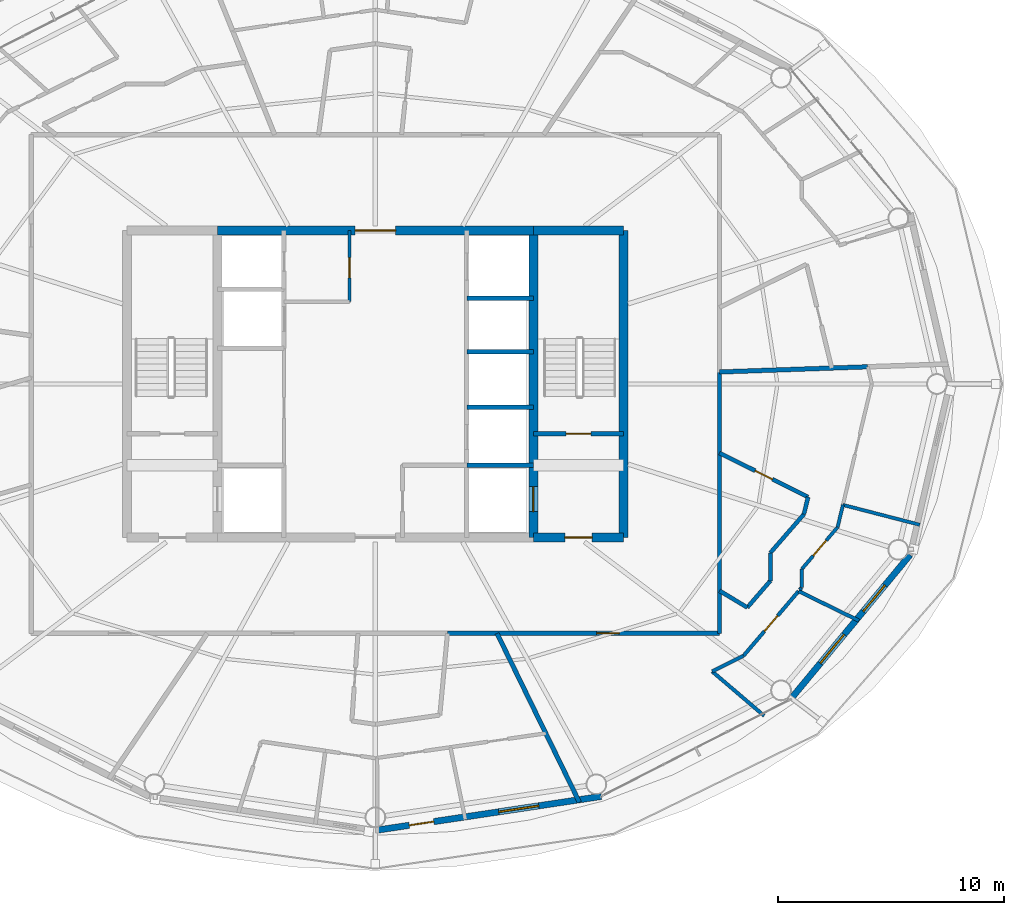
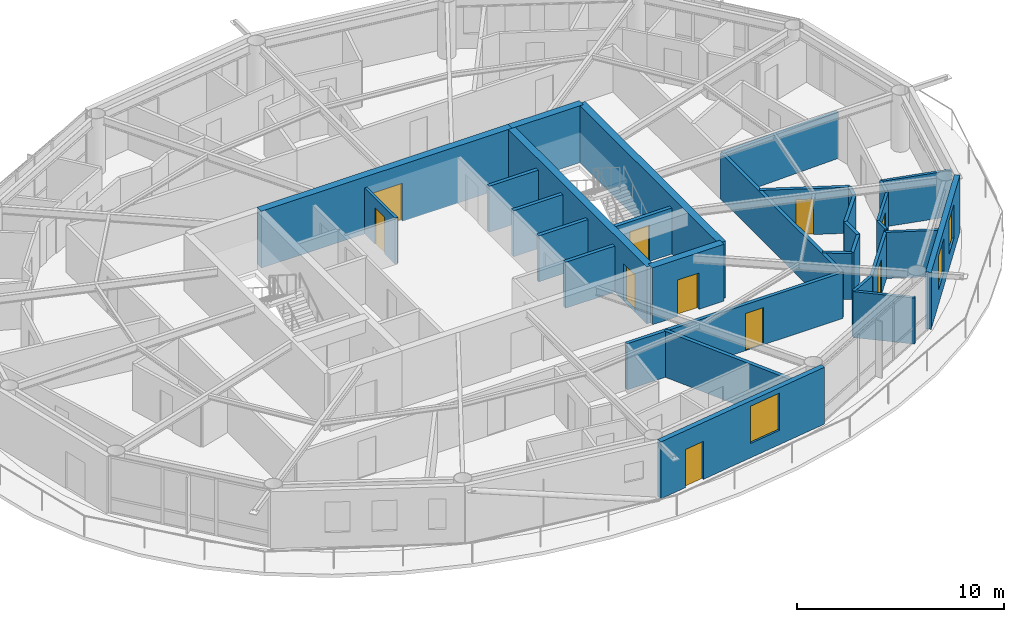
# One storey, part 17 of 23: 32 walls, 10 doors, 3 windows, 13 openings.
"""IFC4 building model written with IfcOpenShell, lengths in metres."""

from ifc_helpers import new_model, si_unit, direction, frame, frame_2d, origin, place, context, subcontext, project, spatial, rectangle, extrude, material, layer, layer_set, type_object, element, fill, save


model = new_model("IFC4")

# Units and contexts
model_context = context("Model", 3, precision=1e-05, world=origin(), true_north=direction((0.0, 1.0)))
body_context = subcontext(model_context, "Body", "Model", "MODEL_VIEW")
ifc_project = project(units=[si_unit("LENGTHUNIT", "METRE"), si_unit("AREAUNIT", "SQUARE_METRE"), si_unit("VOLUMEUNIT", "CUBIC_METRE"), si_unit("PLANEANGLEUNIT", "RADIAN"), si_unit("MASSUNIT", "GRAM", prefix="KILO")], contexts=[model_context])

# Site, building, storey
site_placement = place(None, origin())
site = spatial("IfcSite", under=ifc_project, at=site_placement, CompositionType="ELEMENT")
building_placement = place(site_placement, origin())
building = spatial("IfcBuilding", under=site, at=building_placement, Name="Sarneth Arch Tower", CompositionType="ELEMENT")
storey_placement = place(building_placement, frame((0.0, 0.0, 231.60009765625)))
storey = spatial("IfcBuildingStorey", under=building, at=storey_placement, Name="L59", CompositionType="ELEMENT", Elevation=231.60009765625)

# Wall, opening, door
ifc_material_1 = material(Name="Concrete C50/60", Category="concrete")
ifc_layer_1 = layer(ifc_material_1, 0.39990234375)
ifc_layer_set_1 = layer_set([ifc_layer_1], Name="Concrete C50/60")
wall_type_1 = type_object("IfcWallType", Name="WALL-CORE-400", PredefinedType="SHEAR", material=ifc_layer_set_1)
wall_1_placement = place(storey_placement, frame((55.0, 35.199951171875, 0.0), z_axis=(0.0, 0.0, 1.0), x_axis=(1.0, 0.0, 0.0)))
wall_1 = element("IfcWall", 1, at=wall_1_placement, inside=storey, type_object=wall_type_1, Name="L59 Core shear wall S-E", PredefinedType="SHEAR", context=body_context, shape_type="SweptSolid", body=[
    extrude(rectangle(XDim=4.0, YDim=0.39990234375, at=frame_2d((2.0, 0.0))), origin(), (0.0, 0.0, 1.0), 3.35986328125),
])
opening_1_placement = place(wall_1_placement, frame((1.39990234375, 0.0, 0.0)))
opening_1 = element("IfcOpeningElement", 2, at=opening_1_placement, cuts=wall_1, Name="Opening FD-02", PredefinedType="OPENING", context=body_context, shape_type="SweptSolid", body=[
    extrude(rectangle(XDim=1.199951171875, YDim=2.14990234375, at=frame_2d((0.60009765625, 1.074951171875))), frame((0.0, 0.2099609375, 0.0), z_axis=(0.0, -1.0, 0.0), x_axis=(1.0, 0.0, 0.0)), (0.0, 0.0, 1.0), 0.419921875),
])
ifc_material_2 = material(Name="Galvanised Steel S275 fire door set", Category="steel")
door_type_1 = type_object("IfcDoorType", Name="DR-FD90-1200", OperationType="SINGLE_SWING_LEFT", PredefinedType="DOOR", material=ifc_material_2)
door_1_placement = place(opening_1_placement, origin())
door_1 = element("IfcDoor", 3, at=door_1_placement, inside=storey, type_object=door_type_1, Name="L59 Firefighting lobby 2 exit door", OperationType="SINGLE_SWING_RIGHT", OverallHeight=2.14990234375, OverallWidth=1.199951171875, PredefinedType="DOOR", context=body_context, shape_type="SweptSolid", body=[
    extrude(rectangle(XDim=1.199951171875, YDim=2.14990234375, at=frame_2d((0.60009765625, 1.074951171875))), frame((0.0, 0.02490234375, 0.0), z_axis=(0.0, -1.0, 0.0), x_axis=(1.0, 0.0, 0.0)), (0.0, 0.0, 1.0), 0.050048828125),
])
fill(opening_1, door_1)

wall_2_placement = place(storey_placement, frame((41.0, 48.800048828125, 0.0), z_axis=(0.0, 0.0, 1.0), x_axis=(1.0, 0.0, 0.0)))
wall_2 = element("IfcWall", 4, at=wall_2_placement, inside=storey, type_object=wall_type_1, Name="L59 Core shear wall N-M", PredefinedType="SHEAR", context=body_context, shape_type="SweptSolid", body=[
    extrude(rectangle(XDim=14.0, YDim=0.39990234375, at=frame_2d((7.0, 0.0))), origin(), (0.0, 0.0, 1.0), 3.35986328125),
])
opening_2_placement = place(wall_2_placement, frame((6.10009765625, 0.0, 0.0)))
opening_2 = element("IfcOpeningElement", 5, at=opening_2_placement, cuts=wall_2, Name="Opening FD-01", PredefinedType="OPENING", context=body_context, shape_type="SweptSolid", body=[
    extrude(rectangle(XDim=1.800048828125, YDim=2.25, at=frame_2d((0.89990234375, 1.125))), frame((0.0, 0.2099609375, 0.0), z_axis=(0.0, -1.0, 0.0), x_axis=(1.0, 0.0, 0.0)), (0.0, 0.0, 1.0), 0.419921875),
])
ifc_material_3 = material(Name="Galvanised Steel S275 fire door set", Category="steel")
door_type_2 = type_object("IfcDoorType", Name="DR-FD90-1800", OperationType="DOUBLE_DOOR_SINGLE_SWING", PredefinedType="DOOR", material=ifc_material_3)
door_2_placement = place(opening_2_placement, origin())
door_2 = element("IfcDoor", 6, at=door_2_placement, inside=storey, type_object=door_type_2, Name="L59 Central lift lobby north door", OperationType="DOUBLE_DOOR_SINGLE_SWING", OverallHeight=2.25, OverallWidth=1.800048828125, PredefinedType="DOOR", context=body_context, shape_type="SweptSolid", body=[
    extrude(rectangle(XDim=1.800048828125, YDim=2.25, at=frame_2d((0.89990234375, 1.125))), frame((0.0, 0.02490234375, 0.0), z_axis=(0.0, -1.0, 0.0), x_axis=(1.0, 0.0, 0.0)), (0.0, 0.0, 1.0), 0.050048828125),
])
fill(opening_2, door_2)

# Walls
wall_3_placement = place(storey_placement, frame((55.0, 48.800048828125, 0.0), z_axis=(0.0, 0.0, 1.0), x_axis=(1.0, 0.0, 0.0)))
element("IfcWall", 7, at=wall_3_placement, inside=storey, type_object=wall_type_1, Name="L59 Core shear wall N-E", PredefinedType="SHEAR", context=body_context, shape_type="SweptSolid", body=[
    extrude(rectangle(XDim=4.0, YDim=0.39990234375, at=frame_2d((2.0, 0.0))), origin(), (0.0, 0.0, 1.0), 3.35986328125),
])
wall_4_placement = place(storey_placement, frame((59.0, 35.199951171875, 0.0), z_axis=(0.0, 0.0, 1.0), x_axis=(0.0, 1.0, 0.0)))
element("IfcWall", 8, at=wall_4_placement, inside=storey, type_object=wall_type_1, Name="L59 Core shear wall E", PredefinedType="SHEAR", context=body_context, shape_type="SweptSolid", body=[
    extrude(rectangle(XDim=13.60009765625, YDim=0.39990234375, at=frame_2d((6.800048828125, 0.0))), origin(), (0.0, 0.0, 1.0), 3.35986328125),
])

# Wall, opening, door
wall_5_placement = place(storey_placement, frame((55.0, 35.199951171875, 0.0), z_axis=(0.0, 0.0, 1.0), x_axis=(0.0, 1.0, 0.0)))
wall_5 = element("IfcWall", 9, at=wall_5_placement, inside=storey, type_object=wall_type_1, Name="L59 Core shear wall WEB-E", PredefinedType="SHEAR", context=body_context, shape_type="SweptSolid", body=[
    extrude(rectangle(XDim=13.60009765625, YDim=0.39990234375, at=frame_2d((6.800048828125, 0.0))), origin(), (0.0, 0.0, 1.0), 3.35986328125),
])
opening_3_placement = place(wall_5_placement, frame((1.14990234375, 0.0, 0.0)))
opening_3 = element("IfcOpeningElement", 10, at=opening_3_placement, cuts=wall_5, Name="Opening LD-1", PredefinedType="OPENING", context=body_context, shape_type="SweptSolid", body=[
    extrude(rectangle(XDim=1.10009765625, YDim=2.199951171875, at=frame_2d((0.550048828125, 1.10009765625))), frame((0.0, 0.2099609375, 0.0), z_axis=(0.0, -1.0, 0.0), x_axis=(1.0, 0.0, 0.0)), (0.0, 0.0, 1.0), 0.419921875),
])
ifc_material_4 = material(Name="Brushed Stainless Steel 304 lift landing door", Category="steel")
door_type_3 = type_object("IfcDoorType", Name="DR-LIFT-SLIDE-1100", OperationType="SLIDING_TO_LEFT", PredefinedType="DOOR", material=ifc_material_4)
door_3_placement = place(opening_3_placement, origin())
door_3 = element("IfcDoor", 11, at=door_3_placement, inside=storey, type_object=door_type_3, Name="L59 Firefighting lift landing door FL-2", OperationType="SLIDING_TO_RIGHT", OverallHeight=2.199951171875, OverallWidth=1.10009765625, PredefinedType="DOOR", context=body_context, shape_type="SweptSolid", body=[
    extrude(rectangle(XDim=1.10009765625, YDim=2.199951171875, at=frame_2d((0.550048828125, 1.10009765625))), frame((0.0, 0.02490234375, 0.0), z_axis=(0.0, -1.0, 0.0), x_axis=(1.0, 0.0, 0.0)), (0.0, 0.0, 1.0), 0.050048828125),
])
fill(opening_3, door_3)

ifc_material_5 = material(Name="Double steel-stud corridor fire wall", Category="steel")
ifc_layer_2 = layer(ifc_material_5, 0.18994140625)
ifc_layer_set_2 = layer_set([ifc_layer_2], Name="Double steel-stud corridor fire wall")
wall_type_2 = type_object("IfcWallType", Name="WALL-CORR-190", PredefinedType="PARTITIONING", material=ifc_layer_set_2)
wall_6_placement = place(storey_placement, frame((63.25, 30.949951171875, 0.0), z_axis=(0.0, 0.0, 1.0), x_axis=(-1.0, 0.0, 0.0)))
wall_6 = element("IfcWall", 12, at=wall_6_placement, inside=storey, type_object=wall_type_2, Name="L59 Interior partition W-L59-TP-018", PredefinedType="PARTITIONING", context=body_context, shape_type="SweptSolid", body=[
    extrude(rectangle(XDim=12.056396484375, YDim=0.18994140625, at=frame_2d((6.0283203125, 0.0))), origin(), (0.0, 0.0, 1.0), 2.719970703125),
])
opening_4_placement = place(wall_6_placement, frame((4.447998046875, 0.0, 0.0)))
opening_4 = element("IfcOpeningElement", 13, at=opening_4_placement, cuts=wall_6, Name="Opening FD-08", PredefinedType="OPENING", context=body_context, shape_type="SweptSolid", body=[
    extrude(rectangle(XDim=1.0, YDim=2.199951171875, at=frame_2d((0.5, 1.10009765625))), frame((0.0, 0.10498046875, 0.0), z_axis=(0.0, -1.0, 0.0), x_axis=(1.0, 0.0, 0.0)), (0.0, 0.0, 1.0), 0.2099609375),
])
ifc_material_6 = material(Name="Hardwood timber acoustic fire door", Category="wood")
door_type_4 = type_object("IfcDoorType", Name="DR-FD60-1000", OperationType="SINGLE_SWING_LEFT", PredefinedType="DOOR", material=ifc_material_6)
door_4_placement = place(opening_4_placement, origin())
door_4 = element("IfcDoor", 14, at=door_4_placement, inside=storey, type_object=door_type_4, Name="L59 Interior door DR-L59-U6-ENT", OperationType="SINGLE_SWING_LEFT", OverallHeight=2.199951171875, OverallWidth=1.0, PredefinedType="DOOR", context=body_context, shape_type="SweptSolid", body=[
    extrude(rectangle(XDim=1.0, YDim=2.199951171875, at=frame_2d((0.5, 1.10009765625))), frame((0.0, 0.02490234375, 0.0), z_axis=(0.0, -1.0, 0.0), x_axis=(1.0, 0.0, 0.0)), (0.0, 0.0, 1.0), 0.050048828125),
])
fill(opening_4, door_4)

# Wall
wall_7_placement = place(storey_placement, frame((63.25, 42.564453125, 0.0), z_axis=(0.0, 0.0, 1.0), x_axis=(0.0, -1.0, 0.0)))
element("IfcWall", 15, at=wall_7_placement, inside=storey, type_object=wall_type_2, Name="L59 Interior partition W-L59-TP-020", PredefinedType="PARTITIONING", context=body_context, shape_type="SweptSolid", body=[
    extrude(rectangle(XDim=11.614501953125, YDim=0.18994140625, at=frame_2d((5.80712890625, 0.0))), origin(), (0.0, 0.0, 1.0), 2.719970703125),
])

# Wall, openings, door, window
ifc_material_7 = material(Name="Extruded terracotta rainscreen on Concrete C40/50 backing", Category="masonry")
ifc_layer_3 = layer(ifc_material_7, 0.280029296875)
ifc_layer_set_3 = layer_set([ifc_layer_3], Name="Extruded terracotta rainscreen on Concrete C40/50 backing")
wall_type_3 = type_object("IfcWallType", Name="WALL-EXT-TERRA-280", PredefinedType="SOLIDWALL", material=ifc_layer_set_3)
wall_8_placement = place(storey_placement, frame((48.0, 22.219970703125, 0.0), z_axis=(0.0, 0.0, 1.0), x_axis=(0.988882522213, 0.148698881169, 0.0)))
wall_8 = element("IfcWall", 16, at=wall_8_placement, inside=storey, type_object=wall_type_3, Name="L59 Terracotta perimeter wall 13", PredefinedType="SOLIDWALL", context=body_context, shape_type="SweptSolid", body=[
    extrude(rectangle(XDim=10.125244140625, YDim=0.280029296875, at=frame_2d((5.0625, 0.0))), origin(), (0.0, 0.0, 1.0), 3.35986328125),
])
opening_5_placement = place(wall_8_placement, frame((1.51611328125, 0.0, 0.0)))
opening_5 = element("IfcOpeningElement", 17, at=opening_5_placement, cuts=wall_8, Name="Opening BD-3", PredefinedType="OPENING", context=body_context, shape_type="SweptSolid", body=[
    extrude(rectangle(XDim=1.10009765625, YDim=2.25, at=frame_2d((0.550048828125, 1.125))), frame((0.0, 0.14990234375, 0.0), z_axis=(0.0, -1.0, 0.0), x_axis=(1.0, 0.0, 0.0)), (0.0, 0.0, 1.0), 0.300048828125),
])
opening_6_placement = place(wall_8_placement, frame((5.524169921875, 0.0, 0.85009765625)))
opening_6 = element("IfcOpeningElement", 18, at=opening_6_placement, cuts=wall_8, Name="Opening W-04", PredefinedType="OPENING", context=body_context, shape_type="SweptSolid", body=[
    extrude(rectangle(XDim=1.800048828125, YDim=2.199951171875, at=frame_2d((0.89990234375, 1.10009765625))), frame((0.0, 0.14990234375, 0.0), z_axis=(0.0, -1.0, 0.0), x_axis=(1.0, 0.0, 0.0)), (0.0, 0.0, 1.0), 0.300048828125),
])
ifc_material_8 = material(Name="Thermally broken Aluminium 6063-T6 and laminated safety glass", Category="aluminium")
door_type_5 = type_object("IfcDoorType", Name="DR-BALC-GLZ-1100", OperationType="SINGLE_SWING_LEFT", PredefinedType="DOOR", material=ifc_material_8)
door_5_placement = place(opening_5_placement, origin())
door_5 = element("IfcDoor", 19, at=door_5_placement, inside=storey, type_object=door_type_5, Name="L59 Balcony glazed door 13", OperationType="SINGLE_SWING_LEFT", OverallHeight=2.25, OverallWidth=1.10009765625, PredefinedType="DOOR", context=body_context, shape_type="SweptSolid", body=[
    extrude(rectangle(XDim=1.10009765625, YDim=2.25, at=frame_2d((0.550048828125, 1.125))), frame((0.0, 0.02490234375, 0.0), z_axis=(0.0, -1.0, 0.0), x_axis=(1.0, 0.0, 0.0)), (0.0, 0.0, 1.0), 0.050048828125),
])
fill(opening_5, door_5)
ifc_material_9 = material(Name="Thermally broken Aluminium 6063-T6 and low-e laminated IGU", Category="aluminium")
window_type_1 = type_object("IfcWindowType", Name="WIN-TWR-1800x2200", PartitioningType="DOUBLE_PANEL_VERTICAL", PredefinedType="WINDOW", material=ifc_material_9)
window_1_placement = place(opening_6_placement, origin())
window_1 = element("IfcWindow", 20, at=window_1_placement, inside=storey, type_object=window_type_1, Name="L59 Exterior window 13A", OverallHeight=2.199951171875, OverallWidth=1.800048828125, PartitioningType="SINGLE_PANEL", PredefinedType="WINDOW", context=body_context, shape_type="SweptSolid", body=[
    extrude(rectangle(XDim=1.800048828125, YDim=2.199951171875, at=frame_2d((0.89990234375, 1.10009765625))), frame((0.0, 0.030029296875, 0.0), z_axis=(0.0, -1.0, 0.0), x_axis=(1.0, 0.0, 0.0)), (0.0, 0.0, 1.0), 0.06005859375),
])
fill(opening_6, window_1)

# Wall, openings, windows
wall_9_placement = place(storey_placement, frame((66.382568359375, 28.013427734375, 0.0), z_axis=(0.0, 0.0, 1.0), x_axis=(0.63761509934, 0.770355103243, 0.0)))
wall_9 = element("IfcWall", 21, at=wall_9_placement, inside=storey, type_object=wall_type_3, Name="L59 Terracotta perimeter wall 15", PredefinedType="SOLIDWALL", context=body_context, shape_type="SweptSolid", body=[
    extrude(rectangle(XDim=8.329833984375, YDim=0.280029296875, at=frame_2d((4.1650390625, 0.0))), origin(), (0.0, 0.0, 1.0), 3.35986328125),
])
opening_7_placement = place(wall_9_placement, frame((2.095703125, 0.0, 0.85009765625)))
opening_7 = element("IfcOpeningElement", 22, at=opening_7_placement, cuts=wall_9, Name="Opening W-05", PredefinedType="OPENING", context=body_context, shape_type="SweptSolid", body=[
    extrude(rectangle(XDim=1.64990234375, YDim=2.0, at=frame_2d((0.824951171875, 1.0))), frame((0.0, 0.14990234375, 0.0), z_axis=(0.0, -1.0, 0.0), x_axis=(1.0, 0.0, 0.0)), (0.0, 0.0, 1.0), 0.300048828125),
])
opening_8_placement = place(wall_9_placement, frame((5.07568359375, 0.0, 0.85009765625)))
opening_8 = element("IfcOpeningElement", 23, at=opening_8_placement, cuts=wall_9, Name="Opening W-06", PredefinedType="OPENING", context=body_context, shape_type="SweptSolid", body=[
    extrude(rectangle(XDim=1.5, YDim=2.0, at=frame_2d((0.75, 1.0))), frame((0.0, 0.14990234375, 0.0), z_axis=(0.0, -1.0, 0.0), x_axis=(1.0, 0.0, 0.0)), (0.0, 0.0, 1.0), 0.300048828125),
])
ifc_material_10 = material(Name="Thermally broken Aluminium 6063-T6 and low-e laminated IGU", Category="aluminium")
window_type_2 = type_object("IfcWindowType", Name="WIN-TWR-1500x2000", PartitioningType="SINGLE_PANEL", PredefinedType="WINDOW", material=ifc_material_10)
window_2_placement = place(opening_8_placement, origin())
window_2 = element("IfcWindow", 24, at=window_2_placement, inside=storey, type_object=window_type_2, Name="L59 Exterior window 15B", OverallHeight=2.0, OverallWidth=1.5, PartitioningType="SINGLE_PANEL", PredefinedType="WINDOW", context=body_context, shape_type="SweptSolid", body=[
    extrude(rectangle(XDim=1.5, YDim=2.0, at=frame_2d((0.75, 1.0))), frame((0.0, 0.030029296875, 0.0), z_axis=(0.0, -1.0, 0.0), x_axis=(1.0, 0.0, 0.0)), (0.0, 0.0, 1.0), 0.06005859375),
])
fill(opening_8, window_2)
ifc_material_11 = material(Name="Thermally broken Aluminium 6063-T6 and low-e laminated IGU", Category="aluminium")
window_type_3 = type_object("IfcWindowType", Name="WIN-TWR-1650x2000", PartitioningType="DOUBLE_PANEL_VERTICAL", PredefinedType="WINDOW", material=ifc_material_11)
window_3_placement = place(opening_7_placement, origin())
window_3 = element("IfcWindow", 25, at=window_3_placement, inside=storey, type_object=window_type_3, Name="L59 Exterior window 15A", OverallHeight=2.0, OverallWidth=1.64990234375, PartitioningType="SINGLE_PANEL", PredefinedType="WINDOW", context=body_context, shape_type="SweptSolid", body=[
    extrude(rectangle(XDim=1.64990234375, YDim=2.0, at=frame_2d((0.824951171875, 1.0))), frame((0.0, 0.030029296875, 0.0), z_axis=(0.0, -1.0, 0.0), x_axis=(1.0, 0.0, 0.0)), (0.0, 0.0, 1.0), 0.06005859375),
])
fill(opening_7, window_3)

# Wall, opening, door
ifc_material_12 = material(Name="Acoustic gypsum stud partition", Category="gypsum")
ifc_layer_4 = layer(ifc_material_12, 0.14990234375)
ifc_layer_set_4 = layer_set([ifc_layer_4], Name="Acoustic gypsum stud partition")
wall_type_4 = type_object("IfcWallType", Name="WALL-PART-150", PredefinedType="PARTITIONING", material=ifc_layer_set_4)
wall_10_placement = place(storey_placement, frame((46.85009765625, 45.64990234375, 0.0), z_axis=(0.0, 0.0, 1.0), x_axis=(0.0, 1.0, 0.0)))
wall_10 = element("IfcWall", 26, at=wall_10_placement, inside=storey, type_object=wall_type_4, Name="L59 Interior partition W-L59-CSUP1-E", PredefinedType="PARTITIONING", context=body_context, shape_type="SweptSolid", body=[
    extrude(rectangle(XDim=3.150146484375, YDim=0.14990234375, at=frame_2d((1.5751953125, 0.0))), origin(), (0.0, 0.0, 1.0), 2.719970703125),
])
opening_9_placement = place(wall_10_placement, frame((1.050048828125, 0.0, 0.0)))
opening_9 = element("IfcOpeningElement", 27, at=opening_9_placement, cuts=wall_10, Name="Opening FD-10", PredefinedType="OPENING", context=body_context, shape_type="SweptSolid", body=[
    extrude(rectangle(XDim=0.89990234375, YDim=2.14990234375, at=frame_2d((0.449951171875, 1.074951171875))), frame((0.0, 0.0849609375, 0.0), z_axis=(0.0, -1.0, 0.0), x_axis=(1.0, 0.0, 0.0)), (0.0, 0.0, 1.0), 0.169921875),
])
ifc_material_13 = material(Name="Galvanised Steel S275 riser/service fire door", Category="steel")
door_type_6 = type_object("IfcDoorType", Name="DR-FD60-900", OperationType="SINGLE_SWING_LEFT", PredefinedType="DOOR", material=ifc_material_13)
door_6_placement = place(opening_9_placement, origin())
door_6 = element("IfcDoor", 28, at=door_6_placement, inside=storey, type_object=door_type_6, Name="L59 Interior door DR-L59-CSUP1", OperationType="SINGLE_SWING_LEFT", OverallHeight=2.14990234375, OverallWidth=0.89990234375, PredefinedType="DOOR", context=body_context, shape_type="SweptSolid", body=[
    extrude(rectangle(XDim=0.89990234375, YDim=2.14990234375, at=frame_2d((0.449951171875, 1.074951171875))), frame((0.0, 0.02490234375, 0.0), z_axis=(0.0, -1.0, 0.0), x_axis=(1.0, 0.0, 0.0)), (0.0, 0.0, 1.0), 0.050048828125),
])
fill(opening_9, door_6)

# Wall
wall_11_placement = place(storey_placement, frame((68.716796875, 36.642333984375, 0.0), z_axis=(0.0, 0.0, 1.0), x_axis=(0.968152708391, -0.250360406683, 0.0)))
element("IfcWall", 29, at=wall_11_placement, inside=storey, type_object=wall_type_4, Name="L59 Interior partition W-L59-TP-110", PredefinedType="PARTITIONING", context=body_context, shape_type="SweptSolid", body=[
    extrude(rectangle(XDim=3.520263671875, YDim=0.14990234375, at=frame_2d((1.76025390625, 0.0))), origin(), (0.0, 0.0, 1.0), 2.719970703125),
])

# Wall, opening, door
wall_12_placement = place(storey_placement, frame((66.89990234375, 33.802978515625, 0.0), z_axis=(0.0, 0.0, 1.0), x_axis=(0.649270866973, 0.760557257082, 0.0)))
wall_12 = element("IfcWall", 30, at=wall_12_placement, inside=storey, type_object=wall_type_4, Name="L59 Interior partition W-L59-TP-105", PredefinedType="PARTITIONING", context=body_context, shape_type="SweptSolid", body=[
    extrude(rectangle(XDim=2.43505859375, YDim=0.14990234375, at=frame_2d((1.217529296875, 0.0))), origin(), (0.0, 0.0, 1.0), 2.719970703125),
])
opening_10_placement = place(wall_12_placement, frame((0.767578125, 0.0, 0.0)))
opening_10 = element("IfcOpeningElement", 31, at=opening_10_placement, cuts=wall_12, Name="Opening ID-01", PredefinedType="OPENING", context=body_context, shape_type="SweptSolid", body=[
    extrude(rectangle(XDim=0.89990234375, YDim=2.10009765625, at=frame_2d((0.449951171875, 1.050048828125))), frame((0.0, 0.0849609375, 0.0), z_axis=(0.0, -1.0, 0.0), x_axis=(1.0, 0.0, 0.0)), (0.0, 0.0, 1.0), 0.169921875),
])
ifc_material_14 = material(Name="Engineered hardwood flush door", Category="wood")
door_type_7 = type_object("IfcDoorType", Name="DR-INT-900", OperationType="SINGLE_SWING_LEFT", PredefinedType="DOOR", material=ifc_material_14)
door_7_placement = place(opening_10_placement, origin())
door_7 = element("IfcDoor", 32, at=door_7_placement, inside=storey, type_object=door_type_7, Name="L59 Interior door DR-L59-U6-BED1", OperationType="SINGLE_SWING_LEFT", OverallHeight=2.10009765625, OverallWidth=0.89990234375, PredefinedType="DOOR", context=body_context, shape_type="SweptSolid", body=[
    extrude(rectangle(XDim=0.89990234375, YDim=2.10009765625, at=frame_2d((0.449951171875, 1.050048828125))), frame((0.0, 0.02490234375, 0.0), z_axis=(0.0, -1.0, 0.0), x_axis=(1.0, 0.0, 0.0)), (0.0, 0.0, 1.0), 0.050048828125),
])
fill(opening_10, door_7)

# Walls
wall_13_placement = place(storey_placement, frame((68.48095703125, 35.655029296875, 0.0), z_axis=(0.0, 0.0, 1.0), x_axis=(0.232335810995, 0.972635631123, 0.0)))
element("IfcWall", 33, at=wall_13_placement, inside=storey, type_object=wall_type_4, Name="L59 Interior partition W-L59-TP-106", PredefinedType="PARTITIONING", context=body_context, shape_type="SweptSolid", body=[
    extrude(rectangle(XDim=1.01513671875, YDim=0.14990234375, at=frame_2d((0.507568359375, 0.0))), origin(), (0.0, 0.0, 1.0), 2.719970703125),
])
wall_14_placement = place(storey_placement, frame((66.89990234375, 32.992919921875, 0.0), z_axis=(0.0, 0.0, 1.0), x_axis=(0.0, 1.0, 0.0)))
element("IfcWall", 34, at=wall_14_placement, inside=storey, type_object=wall_type_4, Name="L59 Interior partition W-L59-TP-104", PredefinedType="PARTITIONING", context=body_context, shape_type="SweptSolid", body=[
    extrude(rectangle(XDim=0.81005859375, YDim=0.14990234375, at=frame_2d((0.405029296875, 0.0))), origin(), (0.0, 0.0, 1.0), 2.719970703125),
])
wall_15_placement = place(storey_placement, frame((66.80908203125, 32.886474609375, 0.0), z_axis=(0.0, 0.0, 1.0), x_axis=(0.649824872213, 0.760083966054, 0.0)))
element("IfcWall", 35, at=wall_15_placement, inside=storey, type_object=wall_type_4, Name="L59 Interior partition W-L59-TP-103", PredefinedType="PARTITIONING", context=body_context, shape_type="SweptSolid", body=[
    extrude(rectangle(XDim=0.10400390625, YDim=0.14990234375, at=frame_2d((0.052001953125, 0.0))), origin(), (0.0, 0.0, 1.0), 2.719970703125),
])

# Wall, opening, door
ifc_material_15 = material(Name="Kitchen wet service chase wall", Category="gypsum")
ifc_layer_5 = layer(ifc_material_15, 0.159912109375)
ifc_layer_set_5 = layer_set([ifc_layer_5], Name="Kitchen wet service chase wall")
wall_type_5 = type_object("IfcWallType", Name="WALL-PLUMB-160", PredefinedType="PLUMBINGWALL", material=ifc_layer_set_5)
wall_16_placement = place(storey_placement, frame((64.31103515625, 29.9580078125, 0.0), z_axis=(0.0, 0.0, 1.0), x_axis=(0.64897202373, 0.760812271468, 0.0)))
wall_16 = element("IfcWall", 36, at=wall_16_placement, inside=storey, type_object=wall_type_5, Name="L59 Interior partition W-L59-TP-096", PredefinedType="PLUMBINGWALL", context=body_context, shape_type="SweptSolid", body=[
    extrude(rectangle(XDim=3.76123046875, YDim=0.159912109375, at=frame_2d((1.880615234375, 0.0))), origin(), (0.0, 0.0, 1.0), 2.719970703125),
])
opening_11_placement = place(wall_16_placement, frame((1.4306640625, 0.0, 0.0)))
opening_11 = element("IfcOpeningElement", 37, at=opening_11_placement, cuts=wall_16, Name="Opening ID-01", PredefinedType="OPENING", context=body_context, shape_type="SweptSolid", body=[
    extrude(rectangle(XDim=0.89990234375, YDim=2.10009765625, at=frame_2d((0.449951171875, 1.050048828125))), frame((0.0, 0.08984375, 0.0), z_axis=(0.0, -1.0, 0.0), x_axis=(1.0, 0.0, 0.0)), (0.0, 0.0, 1.0), 0.179931640625),
])
door_8_placement = place(opening_11_placement, origin())
door_8 = element("IfcDoor", 38, at=door_8_placement, inside=storey, type_object=door_type_7, Name="L59 Interior door DR-L59-U6-KIT", OperationType="SINGLE_SWING_RIGHT", OverallHeight=2.10009765625, OverallWidth=0.89990234375, PredefinedType="DOOR", context=body_context, shape_type="SweptSolid", body=[
    extrude(rectangle(XDim=0.89990234375, YDim=2.10009765625, at=frame_2d((0.449951171875, 1.050048828125))), frame((0.0, 0.02490234375, 0.0), z_axis=(0.0, -1.0, 0.0), x_axis=(1.0, 0.0, 0.0)), (0.0, 0.0, 1.0), 0.050048828125),
])
fill(opening_11, door_8)

# Walls
wall_17_placement = place(storey_placement, frame((65.227783203125, 27.297119140625, 0.0), z_axis=(0.0, 0.0, 1.0), x_axis=(-0.760635251202, 0.649179493382, 0.0)))
element("IfcWall", 39, at=wall_17_placement, inside=storey, type_object=wall_type_5, Name="L59 Interior partition W-L59-TP-094", PredefinedType="PLUMBINGWALL", context=body_context, shape_type="SweptSolid", body=[
    extrude(rectangle(XDim=3.03369140625, YDim=0.159912109375, at=frame_2d((1.516845703125, 0.0))), origin(), (0.0, 0.0, 1.0), 2.719970703125),
])
wall_18_placement = place(storey_placement, frame((69.427734375, 31.509521484375, 0.0), z_axis=(0.0, 0.0, 1.0), x_axis=(-0.898132724045, 0.43972447055, 0.0)))
element("IfcWall", 40, at=wall_18_placement, inside=storey, type_object=wall_type_5, Name="L59 Interior partition W-L59-TP-109", PredefinedType="PLUMBINGWALL", context=body_context, shape_type="SweptSolid", body=[
    extrude(rectangle(XDim=2.979248046875, YDim=0.159912109375, at=frame_2d((1.48974609375, 0.0))), origin(), (0.0, 0.0, 1.0), 2.719970703125),
])
wall_19_placement = place(storey_placement, frame((62.920166015625, 29.2666015625, 0.0), z_axis=(0.0, 0.0, 1.0), x_axis=(0.895462181503, 0.445137598388, 0.0)))
element("IfcWall", 41, at=wall_19_placement, inside=storey, type_object=wall_type_5, Name="L59 Interior partition W-L59-TP-095", PredefinedType="PLUMBINGWALL", context=body_context, shape_type="SweptSolid", body=[
    extrude(rectangle(XDim=1.55322265625, YDim=0.159912109375, at=frame_2d((0.776611328125, 0.0))), origin(), (0.0, 0.0, 1.0), 2.719970703125),
])

# Wall, opening, door
ifc_material_16 = material(Name="Moisture-resistant plumbing chase wall", Category="gypsum")
ifc_layer_6 = layer(ifc_material_16, 0.179931640625)
ifc_layer_set_6 = layer_set([ifc_layer_6], Name="Moisture-resistant plumbing chase wall")
wall_type_6 = type_object("IfcWallType", Name="WALL-PLUMB-180", PredefinedType="PLUMBINGWALL", material=ifc_layer_set_6)
wall_20_placement = place(storey_placement, frame((63.25, 38.941162109375, 0.0), z_axis=(0.0, 0.0, 1.0), x_axis=(0.89568320669, -0.444692695301, 0.0)))
wall_20 = element("IfcWall", 42, at=wall_20_placement, inside=storey, type_object=wall_type_6, Name="L59 Interior partition W-L59-TP-097", PredefinedType="PLUMBINGWALL", context=body_context, shape_type="SweptSolid", body=[
    extrude(rectangle(XDim=4.380615234375, YDim=0.179931640625, at=frame_2d((2.1904296875, 0.0))), origin(), (0.0, 0.0, 1.0), 2.719970703125),
])
opening_12_placement = place(wall_20_placement, frame((1.765380859375, 0.0, 0.0)))
opening_12 = element("IfcOpeningElement", 43, at=opening_12_placement, cuts=wall_20, Name="Opening ID-02", PredefinedType="OPENING", context=body_context, shape_type="SweptSolid", body=[
    extrude(rectangle(XDim=0.85009765625, YDim=2.10009765625, at=frame_2d((0.425048828125, 1.050048828125))), frame((0.0, 0.099853515625, 0.0), z_axis=(0.0, -1.0, 0.0), x_axis=(1.0, 0.0, 0.0)), (0.0, 0.0, 1.0), 0.199951171875),
])
ifc_material_17 = material(Name="Moisture-resistant bathroom timber door", Category="wood")
door_type_8 = type_object("IfcDoorType", Name="DR-INT-850", OperationType="SINGLE_SWING_RIGHT", PredefinedType="DOOR", material=ifc_material_17)
door_9_placement = place(opening_12_placement, origin())
door_9 = element("IfcDoor", 44, at=door_9_placement, inside=storey, type_object=door_type_8, Name="L59 Interior door DR-L59-U6-BATH", OperationType="SINGLE_SWING_LEFT", OverallHeight=2.10009765625, OverallWidth=0.85009765625, PredefinedType="DOOR", context=body_context, shape_type="SweptSolid", body=[
    extrude(rectangle(XDim=0.85009765625, YDim=2.10009765625, at=frame_2d((0.425048828125, 1.050048828125))), frame((0.0, 0.02490234375, 0.0), z_axis=(0.0, -1.0, 0.0), x_axis=(1.0, 0.0, 0.0)), (0.0, 0.0, 1.0), 0.050048828125),
])
fill(opening_12, door_9)

# Walls
wall_21_placement = place(storey_placement, frame((66.987548828125, 36.22900390625, 0.0), z_axis=(0.0, 0.0, 1.0), x_axis=(-0.656389391797, -0.754422273224, 0.0)))
element("IfcWall", 45, at=wall_21_placement, inside=storey, type_object=wall_type_6, Name="L59 Interior partition W-L59-TP-099", PredefinedType="PLUMBINGWALL", context=body_context, shape_type="SweptSolid", body=[
    extrude(rectangle(XDim=2.266357421875, YDim=0.179931640625, at=frame_2d((1.13330078125, 0.0))), origin(), (0.0, 0.0, 1.0), 2.719970703125),
])
wall_22_placement = place(storey_placement, frame((65.5, 33.27880859375, 0.0), z_axis=(0.0, 0.0, 1.0), x_axis=(-0.653929368036, -0.756555603786, 0.0)))
element("IfcWall", 46, at=wall_22_placement, inside=storey, type_object=wall_type_6, Name="L59 Interior partition W-L59-TP-101", PredefinedType="PLUMBINGWALL", context=body_context, shape_type="SweptSolid", body=[
    extrude(rectangle(XDim=1.560546875, YDim=0.179931640625, at=frame_2d((0.7802734375, 0.0))), origin(), (0.0, 0.0, 1.0), 2.719970703125),
])
wall_23_placement = place(storey_placement, frame((64.4794921875, 32.09814453125, 0.0), z_axis=(0.0, 0.0, 1.0), x_axis=(-0.857162347113, 0.515046318976, 0.0)))
element("IfcWall", 47, at=wall_23_placement, inside=storey, type_object=wall_type_6, Name="L59 Interior partition W-L59-TP-102", PredefinedType="PLUMBINGWALL", context=body_context, shape_type="SweptSolid", body=[
    extrude(rectangle(XDim=1.434326171875, YDim=0.179931640625, at=frame_2d((0.71728515625, 0.0))), origin(), (0.0, 0.0, 1.0), 2.719970703125),
])
wall_24_placement = place(storey_placement, frame((65.5, 34.519287109375, 0.0), z_axis=(0.0, 0.0, 1.0), x_axis=(0.0, -1.0, 0.0)))
element("IfcWall", 48, at=wall_24_placement, inside=storey, type_object=wall_type_6, Name="L59 Interior partition W-L59-TP-100", PredefinedType="PLUMBINGWALL", context=body_context, shape_type="SweptSolid", body=[
    extrude(rectangle(XDim=1.240478515625, YDim=0.179931640625, at=frame_2d((0.6201171875, 0.0))), origin(), (0.0, 0.0, 1.0), 2.719970703125),
])
wall_25_placement = place(storey_placement, frame((67.173583984375, 36.9931640625, 0.0), z_axis=(0.0, 0.0, 1.0), x_axis=(-0.236541681433, -0.971621342368, 0.0)))
element("IfcWall", 49, at=wall_25_placement, inside=storey, type_object=wall_type_6, Name="L59 Interior partition W-L59-TP-098", PredefinedType="PLUMBINGWALL", context=body_context, shape_type="SweptSolid", body=[
    extrude(rectangle(XDim=0.786376953125, YDim=0.179931640625, at=frame_2d((0.39306640625, 0.0))), origin(), (0.0, 0.0, 1.0), 2.719970703125),
])

# Wall, opening, door
ifc_material_18 = material(Name="Aerated concrete blockwork C25/30", Category="masonry")
ifc_layer_7 = layer(ifc_material_18, 0.199951171875)
ifc_layer_set_7 = layer_set([ifc_layer_7], Name="Aerated concrete blockwork C25/30")
wall_type_7 = type_object("IfcWallType", Name="WALL-SHAFT-200", PredefinedType="SOLIDWALL", material=ifc_layer_set_7)
wall_26_placement = place(storey_placement, frame((55.0, 39.800048828125, 0.0), z_axis=(0.0, 0.0, 1.0), x_axis=(1.0, 0.0, 0.0)))
wall_26 = element("IfcWall", 50, at=wall_26_placement, inside=storey, type_object=wall_type_7, Name="L59 Interior partition W-L59-ST2-S", PredefinedType="SOLIDWALL", context=body_context, shape_type="SweptSolid", body=[
    extrude(rectangle(XDim=4.0, YDim=0.199951171875, at=frame_2d((2.0, 0.0))), origin(), (0.0, 0.0, 1.0), 2.719970703125),
])
opening_13_placement = place(wall_26_placement, frame((1.449951171875, 0.0, 0.0)))
opening_13 = element("IfcOpeningElement", 51, at=opening_13_placement, cuts=wall_26, Name="Opening FD-03", PredefinedType="OPENING", context=body_context, shape_type="SweptSolid", body=[
    extrude(rectangle(XDim=1.10009765625, YDim=2.14990234375, at=frame_2d((0.550048828125, 1.074951171875))), frame((0.0, 0.10986328125, 0.0), z_axis=(0.0, -1.0, 0.0), x_axis=(1.0, 0.0, 0.0)), (0.0, 0.0, 1.0), 0.219970703125),
])
ifc_material_19 = material(Name="Galvanised Steel S275 fire door set", Category="steel")
door_type_9 = type_object("IfcDoorType", Name="DR-FD90-1100", OperationType="SINGLE_SWING_LEFT", PredefinedType="DOOR", material=ifc_material_19)
door_10_placement = place(opening_13_placement, origin())
door_10 = element("IfcDoor", 52, at=door_10_placement, inside=storey, type_object=door_type_9, Name="L59 Interior door DR-L59-ST2", OperationType="SINGLE_SWING_RIGHT", OverallHeight=2.14990234375, OverallWidth=1.10009765625, PredefinedType="DOOR", context=body_context, shape_type="SweptSolid", body=[
    extrude(rectangle(XDim=1.10009765625, YDim=2.14990234375, at=frame_2d((0.550048828125, 1.074951171875))), frame((0.0, 0.02490234375, 0.0), z_axis=(0.0, -1.0, 0.0), x_axis=(1.0, 0.0, 0.0)), (0.0, 0.0, 1.0), 0.050048828125),
])
fill(opening_13, door_10)

# Walls
for number, where, z_axis, x_axis, name in (
    (53, (52.050048828125, 38.39990234375, 0.0), (0.0, 0.0, 1.0), (1.0, 0.0, 0.0), "L59 Interior partition W-L59-FL2-N"),
    (54, (52.050048828125, 40.97998046875, 0.0), (0.0, 0.0, 1.0), (1.0, 0.0, 0.0), "L59 Interior partition W-L59-EB-DIV-4098"),
    (55, (52.050048828125, 43.419921875, 0.0), (0.0, 0.0, 1.0), (1.0, 0.0, 0.0), "L59 Interior partition W-L59-EB-DIV-4342"),
    (56, (52.050048828125, 45.800048828125, 0.0), (0.0, 0.0, 1.0), (1.0, 0.0, 0.0), "L59 Interior partition W-L59-EB-DIV-4580"),
):
    element("IfcWall", number, at=place(storey_placement, frame(where, z_axis=z_axis, x_axis=x_axis)), inside=storey, type_object=wall_type_7, Name=name, PredefinedType="SOLIDWALL", context=body_context, shape_type="SweptSolid", body=[
        extrude(rectangle(XDim=2.949951171875, YDim=0.199951171875, at=frame_2d((1.47509765625, 0.0))), origin(), (0.0, 0.0, 1.0), 2.719970703125),
    ])
ifc_material_20 = material(Name="Double steel-stud acoustic drywall", Category="steel")
ifc_layer_8 = layer(ifc_material_20, 0.199951171875)
ifc_layer_set_8 = layer_set([ifc_layer_8], Name="Double steel-stud acoustic drywall")
wall_type_8 = type_object("IfcWallType", Name="WALL-UNIT-200", PredefinedType="PARTITIONING", material=ifc_layer_set_8)
wall_27_placement = place(storey_placement, frame((69.814453125, 42.76171875, 0.0), z_axis=(0.0, 0.0, 1.0), x_axis=(-0.999390761745, -0.034901365861, 0.0)))
element("IfcWall", 57, at=wall_27_placement, inside=storey, type_object=wall_type_8, Name="L59 Interior partition W-L59-TP-037", PredefinedType="PARTITIONING", context=body_context, shape_type="SweptSolid", body=[
    extrude(rectangle(XDim=6.568359375, YDim=0.199951171875, at=frame_2d((3.2841796875, 0.0))), origin(), (0.0, 0.0, 1.0), 2.719970703125),
])
wall_28_placement = place(storey_placement, frame((53.389404296875, 30.949951171875, 0.0), z_axis=(0.0, 0.0, 1.0), x_axis=(0.438386671508, -0.898786474222, 0.0)))
element("IfcWall", 58, at=wall_28_placement, inside=storey, type_object=wall_type_8, Name="L59 Interior partition W-L59-TP-089", PredefinedType="PARTITIONING", context=body_context, shape_type="SweptSolid", body=[
    extrude(rectangle(XDim=8.3291015625, YDim=0.199951171875, at=frame_2d((4.16455078125, 0.0))), origin(), (0.0, 0.0, 1.0), 2.719970703125),
])

save(model, "model.ifc")
